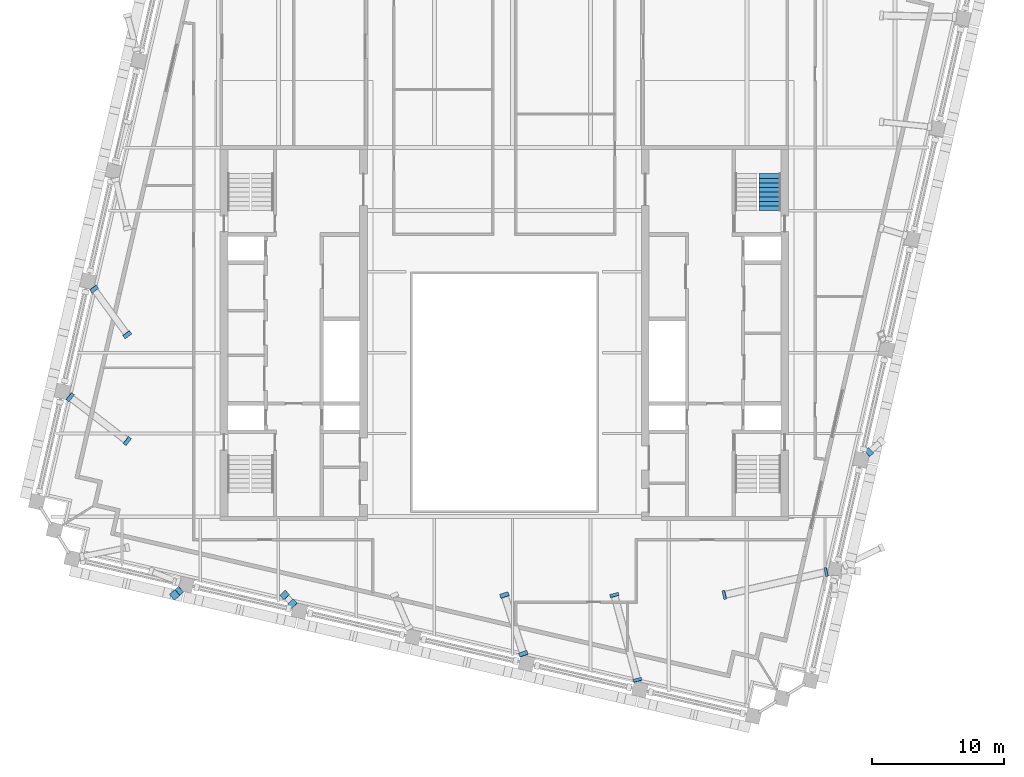
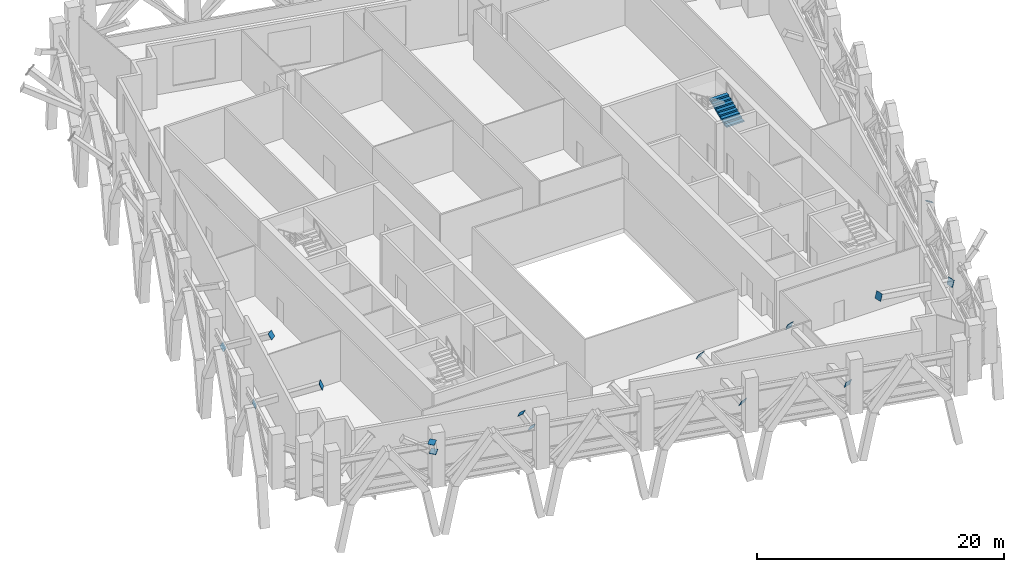
# One storey, part 11 of 19: 15 discrete accessories, 1 stair flight, 1 element without a shape of its own.
"""IFC4 building model written with IfcOpenShell, lengths in metres."""

from ifc_helpers import new_model, si_unit, direction, frame, origin, origin_2d, place, context, subcontext, project, spatial, polyline, rectangle, outline, extrude, material, material_profile, profile_set, type_object, element, aggregate, save


model = new_model("IFC4")

# Units and contexts
model_context = context("Model", 3, precision=1e-05, world=origin(), true_north=direction((0.0, 1.0)))
body_context = subcontext(model_context, "Body", "Model", "MODEL_VIEW")
ifc_project = project(units=[si_unit("LENGTHUNIT", "METRE"), si_unit("AREAUNIT", "SQUARE_METRE"), si_unit("VOLUMEUNIT", "CUBIC_METRE"), si_unit("PLANEANGLEUNIT", "RADIAN"), si_unit("MASSUNIT", "GRAM", prefix="KILO")], contexts=[model_context])

# Site, building, storey
site_placement = place(None, origin())
site = spatial("IfcSite", under=ifc_project, at=site_placement, CompositionType="ELEMENT")
building_placement = place(site_placement, origin())
building = spatial("IfcBuilding", under=site, at=building_placement, Name="Ogive Exchange Tower", CompositionType="ELEMENT")
storey_placement = place(building_placement, frame((0.0, 0.0, 297.60009765625)))
storey = spatial("IfcBuildingStorey", under=building, at=storey_placement, Name="L65", CompositionType="ELEMENT", Elevation=297.60009765625)

# Stair, stair flight
ifc_material_1 = material(Name="Concrete C40/50", Category="concrete")
stair_type = type_object("IfcStairType", Name="Exit stair 1650 wide", PredefinedType="HALF_TURN_STAIR", material=ifc_material_1)
stair_placement = place(storey_placement, origin())
stair = element("IfcStair", 1, at=stair_placement, inside=storey, type_object=stair_type, Name="L65 exit stair ST4", PredefinedType="HALF_TURN_STAIR")
stair_flight_type = type_object("IfcStairFlightType", Name="Stair flight 1650 wide", PredefinedType="STRAIGHT", material=ifc_material_1)
stair_flight_placement = place(storey_placement, frame((20.175048828125, 20.800048828125, 2.699951171875), z_axis=(0.0, 0.0, 1.0), x_axis=(0.0, 1.0, 0.0)))
stair_flight = element("IfcStairFlight", 2, at=stair_flight_placement, type_object=stair_flight_type, Name="ST4 flight 3", NumberOfRisers=9, NumberOfTreads=8, PredefinedType="STRAIGHT", RiserHeight=0.15, TreadLength=0.351, context=body_context, shape_type="SweptSolid", body=[
    extrude(outline(polyline([(0.0, 0.0), (0.0, 0.14990234375), (0.35107421875, 0.14990234375), (0.35107421875, 0.300048828125), (0.701904296875, 0.300048828125), (0.701904296875, 0.449951171875), (1.052978515625, 0.449951171875), (1.052978515625, 0.60009765625), (1.404052734375, 0.60009765625), (1.404052734375, 0.75), (1.7548828125, 0.75), (1.7548828125, 0.89990234375), (2.10595703125, 0.89990234375), (2.10595703125, 1.050048828125), (2.45703125, 1.050048828125), (2.45703125, 1.199951171875), (2.80810546875, 1.199951171875), (2.80810546875, 1.35009765625), (2.80810546875, 1.036865234375), (0.38134765625, 0.0), (0.0, 0.0)])), frame((0.0, 0.824951171875, 0.0), z_axis=(0.0, -1.0, 0.0), x_axis=(1.0, 0.0, 0.0)), (0.0, 0.0, 1.0), 1.64990234375),
])
aggregate(stair, [stair_flight])

# Discrete accessories
ifc_material_2 = material(Name="Steel ASTM A572 Gr50", Category="steel")
ifc_material_profile_1 = material_profile(ifc_material_2, rectangle(XDim=0.576904296875, YDim=0.576904296875, at=origin_2d()), Name="PL 577 x 577 x 25")
ifc_profile_set_1 = profile_set([ifc_material_profile_1], Name="Steel ASTM A572 Gr50")
discrete_accessory_type_1 = type_object("IfcDiscreteAccessoryType", Name="Gusset plate 577 x 577 x 25", PredefinedType="USERDEFINED", material=ifc_profile_set_1)
discrete_accessory_1_placement = place(storey_placement, frame((-24.764404296875, -8.140869140625, 3.679931640625), z_axis=(-0.223670229305, -0.204220644148, 0.95302967269), x_axis=(0.674269364021, -0.738485493928, 0.0)))
element("IfcDiscreteAccessory", 3, at=discrete_accessory_1_placement, inside=storey, type_object=discrete_accessory_type_1, Name="Block-change strut 1 end plate A", ObjectType="GUSSET PLATE", PredefinedType="USERDEFINED", context=body_context, shape_type="SweptSolid", body=[
    extrude(rectangle(XDim=0.576904296875, YDim=0.576904296875, at=origin_2d()), origin(), (0.0, 0.0, 1.0), 0.025146484375),
])
discrete_accessory_2_placement = place(storey_placement, frame((-25.044189453125, -8.39501953125, 4.856201171875), z_axis=(-0.23550926186, -0.196257718217, 0.95184993335), x_axis=(0.640184399664, -0.768221279597, 0.0)))
element("IfcDiscreteAccessory", 4, at=discrete_accessory_2_placement, inside=storey, type_object=discrete_accessory_type_1, Name="Block-change strut 1 end plate B", ObjectType="GUSSET PLATE", PredefinedType="USERDEFINED", context=body_context, shape_type="SweptSolid", body=[
    extrude(rectangle(XDim=0.576904296875, YDim=0.576904296875, at=origin_2d()), origin(), (0.0, 0.0, 1.0), 0.02490234375),
])
for number, where, z_axis, x_axis, name in (
    (5, (-16.093017578125, -9.056396484375, 3.61328125), (-0.409624531987, 0.438883427129, 0.799743133879), (-0.731055268243, -0.68231825036, 0.0), "Block-change strut 2 end plate A"),
    (6, (-16.68994140625, -8.410888671875, 4.793212890625), (-0.398321158317, 0.437181759128, 0.806357466836), (-0.739196337275, -0.673489996184, 0.0), "Block-change strut 2 end plate B"),
    (7, (27.697021484375, 2.448486328125, 3.583984375), (0.545569578998, 0.487115695534, 0.681961973747), (-0.666015769309, 0.745937661626, 0.0), "Block-change strut 9 end plate A"),
):
    element("IfcDiscreteAccessory", number, at=place(storey_placement, frame(where, z_axis=z_axis, x_axis=x_axis)), inside=storey, type_object=discrete_accessory_type_1, Name=name, ObjectType="GUSSET PLATE", PredefinedType="USERDEFINED", context=body_context, shape_type="SweptSolid", body=[
        extrude(rectangle(XDim=0.576904296875, YDim=0.576904296875, at=origin_2d()), origin(), (0.0, 0.0, 1.0), 0.025146484375),
    ])
ifc_material_profile_2 = material_profile(ifc_material_2, rectangle(XDim=0.6279296875, YDim=0.6279296875, at=origin_2d()), Name="PL 628 x 628 x 25")
ifc_profile_set_2 = profile_set([ifc_material_profile_2], Name="Steel ASTM A572 Gr50")
discrete_accessory_type_2 = type_object("IfcDiscreteAccessoryType", Name="Gusset plate 628 x 628 x 25", PredefinedType="USERDEFINED", material=ifc_profile_set_2)
for number, where, z_axis, x_axis, name in (
    (8, (-31.1845703125, 14.847900390625, 2.328125), (0.513861258994, -0.707771168048, 0.484774772636), (0.809215173092, 0.587512385944, 0.0), "Block-change strut 28 end plate A"),
    (9, (-28.662841796875, 11.38916015625, 4.7158203125), (0.513861258994, -0.707771168048, 0.484774772636), (0.809215173092, 0.587512385944, 0.0), "Block-change strut 28 end plate B"),
):
    element("IfcDiscreteAccessory", number, at=place(storey_placement, frame(where, z_axis=z_axis, x_axis=x_axis)), inside=storey, type_object=discrete_accessory_type_2, Name=name, ObjectType="GUSSET PLATE", PredefinedType="USERDEFINED", context=body_context, shape_type="SweptSolid", body=[
        extrude(rectangle(XDim=0.6279296875, YDim=0.6279296875, at=origin_2d()), origin(), (0.0, 0.0, 1.0), 0.025146484375),
    ])
ifc_material_profile_3 = material_profile(ifc_material_2, rectangle(XDim=0.678955078125, YDim=0.678955078125, at=origin_2d()), Name="PL 679 x 679 x 25")
ifc_profile_set_3 = profile_set([ifc_material_profile_3], Name="Steel ASTM A572 Gr50")
discrete_accessory_type_3 = type_object("IfcDiscreteAccessoryType", Name="Gusset plate 679 x 679 x 25", PredefinedType="USERDEFINED", material=ifc_profile_set_3)
for number, where, z_axis, x_axis, name in (
    (10, (1.44140625, -12.880859375, 2.30078125), (-0.281420796253, 0.844262388758, 0.456095773237), (-0.948683298051, -0.316227766017, 0.0), "Block-change strut 4 end plate A"),
    (11, (0.0068359375, -8.421142578125, 4.689453125), (-0.272448831599, 0.846537441041, 0.45732482447), (-0.951914652711, -0.306363336505, 0.0), "Block-change strut 4 end plate B"),
):
    element("IfcDiscreteAccessory", number, at=place(storey_placement, frame(where, z_axis=z_axis, x_axis=x_axis)), inside=storey, type_object=discrete_accessory_type_3, Name=name, ObjectType="GUSSET PLATE", PredefinedType="USERDEFINED", context=body_context, shape_type="SweptSolid", body=[
        extrude(rectangle(XDim=0.678955078125, YDim=0.678955078125, at=origin_2d()), origin(), (0.0, 0.0, 1.0), 0.025146484375),
    ])
for number, where, z_axis, x_axis, name in (
    (12, (10.100830078125, -14.87109375, 2.286865234375), (-0.244792357271, 0.910627569048, 0.332917605889), (-0.965715946433, -0.259601060869, 0.0), "Block-change strut 5 end plate A"),
    (13, (8.356201171875, -8.422607421875, 4.67822265625), (-0.243986636925, 0.907630289361, 0.341581291695), (-0.965715946433, -0.259601060869, 0.0), "Block-change strut 5 end plate B"),
):
    element("IfcDiscreteAccessory", number, at=place(storey_placement, frame(where, z_axis=z_axis, x_axis=x_axis)), inside=storey, type_object=discrete_accessory_type_3, Name=name, ObjectType="GUSSET PLATE", PredefinedType="USERDEFINED", context=body_context, shape_type="SweptSolid", body=[
        extrude(rectangle(XDim=0.678955078125, YDim=0.678955078125, at=origin_2d()), origin(), (0.0, 0.0, 1.0), 0.02490234375),
    ])
for number, where, z_axis, x_axis, name in (
    (14, (24.458251953125, -6.6484375, 2.2822265625), (-0.932434427863, -0.213682889719, 0.291385758707), (0.223376156329, -0.974732318528, 0.0), "Block-change strut 6 end plate A"),
    (15, (16.723388671875, -8.394775390625, 4.675048828125), (-0.934331459958, -0.204385006866, 0.291978581237), (0.213696878805, -0.976900017396, 0.0), "Block-change strut 6 end plate B"),
):
    element("IfcDiscreteAccessory", number, at=place(storey_placement, frame(where, z_axis=z_axis, x_axis=x_axis)), inside=storey, type_object=discrete_accessory_type_3, Name=name, ObjectType="GUSSET PLATE", PredefinedType="USERDEFINED", context=body_context, shape_type="SweptSolid", body=[
        extrude(rectangle(XDim=0.678955078125, YDim=0.678955078125, at=origin_2d()), origin(), (0.0, 0.0, 1.0), 0.025146484375),
    ])
discrete_accessory_3_placement = place(storey_placement, frame((-33.002197265625, 6.633544921875, 2.293701171875), z_axis=(0.725420474278, -0.558769824781, 0.401922154667), x_axis=(0.610228009432, 0.792225836807, 0.0)))
element("IfcDiscreteAccessory", 16, at=discrete_accessory_3_placement, inside=storey, type_object=discrete_accessory_type_3, Name="Block-change strut 29 end plate A", ObjectType="GUSSET PLATE", PredefinedType="USERDEFINED", context=body_context, shape_type="SweptSolid", body=[
    extrude(rectangle(XDim=0.678955078125, YDim=0.678955078125, at=origin_2d()), origin(), (0.0, 0.0, 1.0), 0.02490234375),
])
discrete_accessory_4_placement = place(storey_placement, frame((-28.668212890625, 3.2998046875, 4.683837890625), z_axis=(0.726070937692, -0.561494858482, 0.396918779271), x_axis=(0.611747641047, 0.791052984113, 0.0)))
element("IfcDiscreteAccessory", 17, at=discrete_accessory_4_placement, inside=storey, type_object=discrete_accessory_type_3, Name="Block-change strut 29 end plate B", ObjectType="GUSSET PLATE", PredefinedType="USERDEFINED", context=body_context, shape_type="SweptSolid", body=[
    extrude(rectangle(XDim=0.678955078125, YDim=0.678955078125, at=origin_2d()), origin(), (0.0, 0.0, 1.0), 0.025146484375),
])

save(model, "model.ifc")
